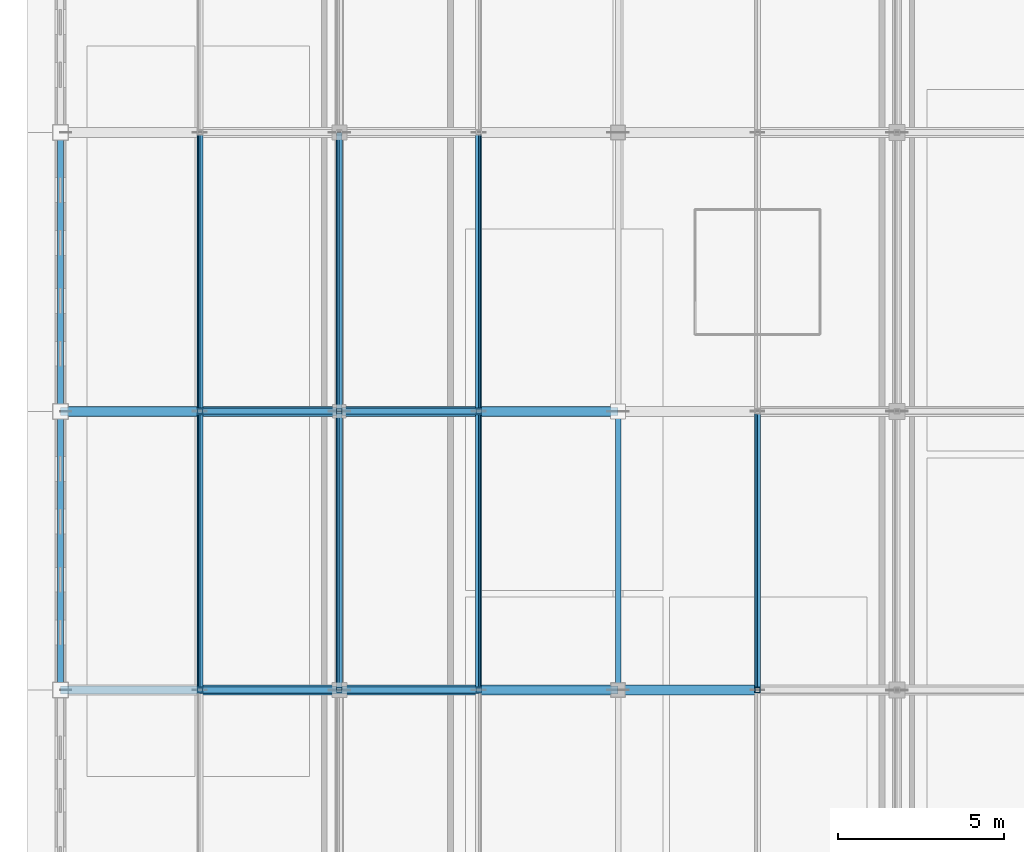
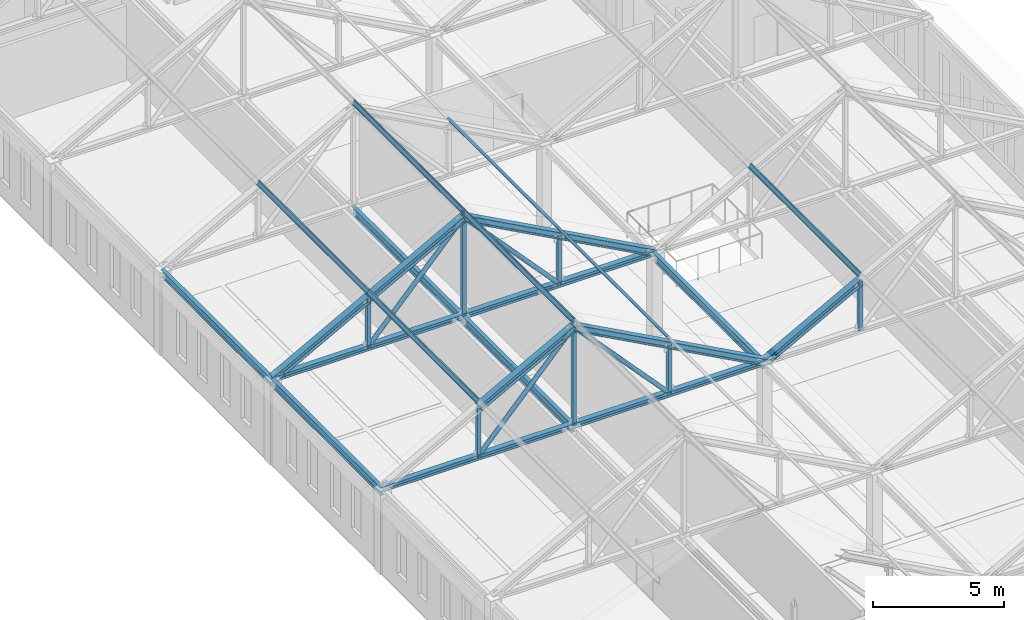
# One storey, part 7 of 36: 28 members, 5 beams.
"""IFC4 building model written with IfcOpenShell, lengths in metres."""

from ifc_helpers import new_model, si_unit, direction, frame, origin, origin_2d, place, context, subcontext, project, spatial, hollow_rectangle, hollow_circle, i_section, extrude, material, material_profile, profile_set, type_object, element, save


model = new_model("IFC4")

# Units and contexts
model_context = context("Model", 3, precision=1e-05, world=origin(), true_north=direction((0.0, 1.0)))
body_context = subcontext(model_context, "Body", "Model", "MODEL_VIEW")
ifc_project = project(units=[si_unit("LENGTHUNIT", "METRE"), si_unit("AREAUNIT", "SQUARE_METRE"), si_unit("VOLUMEUNIT", "CUBIC_METRE"), si_unit("PLANEANGLEUNIT", "RADIAN"), si_unit("MASSUNIT", "GRAM", prefix="KILO")], contexts=[model_context])

# Site, building, storey
site_placement = place(None, origin())
site = spatial("IfcSite", under=ifc_project, at=site_placement, CompositionType="ELEMENT")
building_placement = place(site_placement, origin())
building = spatial("IfcBuilding", under=site, at=building_placement, Name="Kveldsbrygga Polytechnic", CompositionType="ELEMENT")
storey_placement = place(building_placement, frame((0.0, 0.0, 26.179931640625)))
storey = spatial("IfcBuildingStorey", under=building, at=storey_placement, Name="L06", CompositionType="ELEMENT", Elevation=26.179931640625)

# Beams
ifc_material = material(Name="Steel S355", Category="steel")
ifc_material_profile_1 = material_profile(ifc_material, i_section(OverallWidth=0.169921875, OverallDepth=0.360107421875, WebThickness=0.008056640625, FlangeThickness=0.0126953125, FilletRadius=0.01806640625, at=origin_2d()), Name="IPE 360")
ifc_profile_set_1 = profile_set([ifc_material_profile_1], Name="Steel S355")
beam_type = type_object("IfcBeamType", Name="BM-STL-IPE360", PredefinedType="BEAM", material=ifc_profile_set_1)
beam_1_placement = place(storey_placement, frame((126.0, 50.39990234375, 3.66015625), z_axis=(0.0, 1.0, 0.0), x_axis=(-1.0, 0.0, 0.0)))
element("IfcBeam", 1, at=beam_1_placement, inside=storey, type_object=beam_type, Name="Attic Eaves Tie Beam BMY-L06-TOP-15-06", PredefinedType="BEAM", context=body_context, shape_type="SweptSolid", body=[
    extrude(i_section(OverallWidth=0.169921875, OverallDepth=0.360107421875, WebThickness=0.008056640625, FlangeThickness=0.0126953125, FilletRadius=0.01806640625, at=origin_2d()), origin(), (0.0, 0.0, 1.0), 8.400146484375),
])
beam_2_placement = place(storey_placement, frame((126.0, 58.800048828125, 3.66015625), z_axis=(0.0, 1.0, 0.0), x_axis=(-1.0, 0.0, 0.0)))
element("IfcBeam", 2, at=beam_2_placement, inside=storey, type_object=beam_type, Name="Attic Eaves Tie Beam BMY-L06-TOP-15-07", PredefinedType="BEAM", context=body_context, shape_type="SweptSolid", body=[
    extrude(i_section(OverallWidth=0.169921875, OverallDepth=0.360107421875, WebThickness=0.008056640625, FlangeThickness=0.0126953125, FilletRadius=0.01806640625, at=origin_2d()), origin(), (0.0, 0.0, 1.0), 8.39990234375),
])
beam_3_placement = place(storey_placement, frame((134.39990234375, 50.39990234375, 3.66015625), z_axis=(0.0, 1.0, 0.0), x_axis=(-1.0, 0.0, 0.0)))
element("IfcBeam", 3, at=beam_3_placement, inside=storey, type_object=beam_type, Name="Attic Eaves Tie Beam BMY-L06-TOP-16-06", PredefinedType="BEAM", context=body_context, shape_type="SweptSolid", body=[
    extrude(i_section(OverallWidth=0.169921875, OverallDepth=0.360107421875, WebThickness=0.008056640625, FlangeThickness=0.0126953125, FilletRadius=0.01806640625, at=origin_2d()), origin(), (0.0, 0.0, 1.0), 8.400146484375),
])
beam_4_placement = place(storey_placement, frame((134.39990234375, 58.800048828125, 3.66015625), z_axis=(0.0, 1.0, 0.0), x_axis=(-1.0, 0.0, 0.0)))
element("IfcBeam", 4, at=beam_4_placement, inside=storey, type_object=beam_type, Name="Attic Eaves Tie Beam BMY-L06-TOP-16-07", PredefinedType="BEAM", context=body_context, shape_type="SweptSolid", body=[
    extrude(i_section(OverallWidth=0.169921875, OverallDepth=0.360107421875, WebThickness=0.008056640625, FlangeThickness=0.0126953125, FilletRadius=0.01806640625, at=origin_2d()), origin(), (0.0, 0.0, 1.0), 8.39990234375),
])
beam_5_placement = place(storey_placement, frame((142.800048828125, 50.39990234375, 3.66015625), z_axis=(0.0, 1.0, 0.0), x_axis=(-1.0, 0.0, 0.0)))
element("IfcBeam", 5, at=beam_5_placement, inside=storey, type_object=beam_type, Name="Attic Eaves Tie Beam BMY-L06-TOP-17-06", PredefinedType="BEAM", context=body_context, shape_type="SweptSolid", body=[
    extrude(i_section(OverallWidth=0.169921875, OverallDepth=0.360107421875, WebThickness=0.008056640625, FlangeThickness=0.0126953125, FilletRadius=0.01806640625, at=origin_2d()), origin(), (0.0, 0.0, 1.0), 8.400146484375),
])

# Members
ifc_material_profile_2 = material_profile(ifc_material, i_section(OverallWidth=0.10009765625, OverallDepth=0.199951171875, WebThickness=0.005615234375, FlangeThickness=0.008544921875, FilletRadius=0.011962890625, at=origin_2d()), Name="IPE 200")
ifc_profile_set_2 = profile_set([ifc_material_profile_2], Name="Steel S355")
member_type_1 = type_object("IfcMemberType", Name="PRL-IPE200", PredefinedType="PURLIN", material=ifc_profile_set_2)
for number, where, z_axis, x_axis, name in (
    (6, (130.199951171875, 50.39990234375, 6.393798828125), (0.0, 1.0, 0.0), (-0.879292204483, 0.0, 0.476282709256), "Roof Purlin V4M1-PRL-5-1"),
    (7, (134.39990234375, 50.39990234375, 8.668701171875), (0.0, 1.0, 0.0), (-0.879292204483, 0.0, 0.476282709256), "Roof Purlin V4M1-PRL-5-2"),
    (8, (138.60009765625, 50.39990234375, 6.393798828125), (0.0, 1.0, 0.0), (-0.879292204483, 0.0, -0.476282709256), "Roof Purlin V4M1-PRL-5-3"),
):
    element("IfcMember", number, at=place(storey_placement, frame(where, z_axis=z_axis, x_axis=x_axis)), inside=storey, type_object=member_type_1, Name=name, PredefinedType="PURLIN", context=body_context, shape_type="SweptSolid", body=[
        extrude(i_section(OverallWidth=0.10009765625, OverallDepth=0.199951171875, WebThickness=0.005615234375, FlangeThickness=0.008544921875, FilletRadius=0.011962890625, at=origin_2d()), origin(), (0.0, 0.0, 1.0), 8.400146484375),
    ])
for number, where, z_axis, x_axis, name in (
    (9, (130.199951171875, 58.800048828125, 6.393798828125), (0.0, 1.0, 0.0), (-0.879292204483, 0.0, 0.476282709256), "Roof Purlin V4M1-PRL-6-1"),
    (10, (134.39990234375, 58.800048828125, 8.668701171875), (0.0, 1.0, 0.0), (-0.879292204483, 0.0, 0.476282709256), "Roof Purlin V4M1-PRL-6-2"),
    (11, (138.60009765625, 58.800048828125, 6.393798828125), (0.0, 1.0, 0.0), (-0.879292204483, 0.0, -0.476282709256), "Roof Purlin V4M1-PRL-6-3"),
):
    element("IfcMember", number, at=place(storey_placement, frame(where, z_axis=z_axis, x_axis=x_axis)), inside=storey, type_object=member_type_1, Name=name, PredefinedType="PURLIN", context=body_context, shape_type="SweptSolid", body=[
        extrude(i_section(OverallWidth=0.10009765625, OverallDepth=0.199951171875, WebThickness=0.005615234375, FlangeThickness=0.008544921875, FilletRadius=0.011962890625, at=origin_2d()), origin(), (0.0, 0.0, 1.0), 8.39990234375),
    ])
member_1_placement = place(storey_placement, frame((147.0, 50.39990234375, 6.393798828125), z_axis=(0.0, 1.0, 0.0), x_axis=(-0.879292204483, 0.0, 0.476282709256)))
element("IfcMember", 12, at=member_1_placement, inside=storey, type_object=member_type_1, Name="Roof Purlin V4M2-PRL-5-1", PredefinedType="PURLIN", context=body_context, shape_type="SweptSolid", body=[
    extrude(i_section(OverallWidth=0.10009765625, OverallDepth=0.199951171875, WebThickness=0.005615234375, FlangeThickness=0.008544921875, FilletRadius=0.011962890625, at=origin_2d()), origin(), (0.0, 0.0, 1.0), 8.400146484375),
])
ifc_material_profile_3 = material_profile(ifc_material, i_section(OverallWidth=0.239990234375, OverallDepth=0.22998046875, WebThickness=0.007568359375, FlangeThickness=0.011962890625, FilletRadius=0.02099609375, at=origin_2d()), Name="HEA 240")
ifc_profile_set_3 = profile_set([ifc_material_profile_3], Name="Steel S355")
member_type_2 = type_object("IfcMemberType", Name="TR-BOT-HEA240", PredefinedType="CHORD", material=ifc_profile_set_3)
for number, where, z_axis, x_axis, name in (
    (13, (126.0, 50.39990234375, 3.840087890625), (1.0, 0.0, 0.0), (0.0, 1.0, 0.0), "Truss Bottom Chord V4M1-T05-BC-1"),
    (14, (126.0, 58.800048828125, 3.840087890625), (1.0, 0.0, 0.0), (0.0, 1.0, 0.0), "Truss Bottom Chord V4M1-T06-BC-1"),
):
    element("IfcMember", number, at=place(storey_placement, frame(where, z_axis=z_axis, x_axis=x_axis)), inside=storey, type_object=member_type_2, Name=name, PredefinedType="CHORD", context=body_context, shape_type="SweptSolid", body=[
        extrude(i_section(OverallWidth=0.239990234375, OverallDepth=0.22998046875, WebThickness=0.007568359375, FlangeThickness=0.011962890625, FilletRadius=0.02099609375, at=origin_2d()), origin(), (0.0, 0.0, 1.0), 16.800048828125),
    ])
ifc_material_profile_4 = material_profile(ifc_material, hollow_circle(Radius=0.096923828125, WallThickness=0.010009765625, at=origin_2d()), Name="CHS 193.7x10.0")
ifc_profile_set_4 = profile_set([ifc_material_profile_4], Name="Steel S355")
member_type_3 = type_object("IfcMemberType", Name="TR-DIAG-CHS194", PredefinedType="BRACE", material=ifc_profile_set_4)
member_2_placement = place(storey_placement, frame((130.199951171875, 50.39990234375, 3.840087890625), z_axis=(0.678271914864, 0.0, 0.734811002576), x_axis=(0.0, 1.0, 0.0)))
element("IfcMember", 15, at=member_2_placement, inside=storey, type_object=member_type_3, Name="Truss Diagonal V4M1-T05-DG-2", PredefinedType="BRACE", context=body_context, shape_type="SweptSolid", body=[
    extrude(hollow_circle(Radius=0.096923828125, WallThickness=0.010009765625, at=origin_2d()), origin(), (0.0, 0.0, 1.0), 6.192138671875),
])
member_3_placement = place(storey_placement, frame((134.39990234375, 50.39990234375, 8.39013671875), z_axis=(0.678293202798, 0.0, -0.734791352043), x_axis=(0.0, 1.0, 0.0)))
element("IfcMember", 16, at=member_3_placement, inside=storey, type_object=member_type_3, Name="Truss Diagonal V4M1-T05-DG-3", PredefinedType="BRACE", context=body_context, shape_type="SweptSolid", body=[
    extrude(hollow_circle(Radius=0.096923828125, WallThickness=0.010009765625, at=origin_2d()), origin(), (0.0, 0.0, 1.0), 6.1923828125),
])
member_4_placement = place(storey_placement, frame((130.199951171875, 58.800048828125, 3.840087890625), z_axis=(0.678271914864, 0.0, 0.734811002576), x_axis=(0.0, 1.0, 0.0)))
element("IfcMember", 17, at=member_4_placement, inside=storey, type_object=member_type_3, Name="Truss Diagonal V4M1-T06-DG-2", PredefinedType="BRACE", context=body_context, shape_type="SweptSolid", body=[
    extrude(hollow_circle(Radius=0.096923828125, WallThickness=0.010009765625, at=origin_2d()), origin(), (0.0, 0.0, 1.0), 6.192138671875),
])
member_5_placement = place(storey_placement, frame((134.39990234375, 58.800048828125, 8.39013671875), z_axis=(0.678293202798, 0.0, -0.734791352043), x_axis=(0.0, 1.0, 0.0)))
element("IfcMember", 18, at=member_5_placement, inside=storey, type_object=member_type_3, Name="Truss Diagonal V4M1-T06-DG-3", PredefinedType="BRACE", context=body_context, shape_type="SweptSolid", body=[
    extrude(hollow_circle(Radius=0.096923828125, WallThickness=0.010009765625, at=origin_2d()), origin(), (0.0, 0.0, 1.0), 6.1923828125),
])
ifc_material_profile_5 = material_profile(ifc_material, hollow_rectangle(XDim=0.159912109375, YDim=0.159912109375, WallThickness=0.010009765625, at=origin_2d()), Name="SHS 160x160x10.0")
ifc_profile_set_5 = profile_set([ifc_material_profile_5], Name="Steel S355")
member_type_4 = type_object("IfcMemberType", Name="TR-POST-SHS160", PredefinedType="STRUT", material=ifc_profile_set_5)
member_6_placement = place(storey_placement, frame((130.199951171875, 50.39990234375, 3.840087890625), z_axis=(0.0, 0.0, 1.0), x_axis=(1.0, 0.0, 0.0)))
element("IfcMember", 19, at=member_6_placement, inside=storey, type_object=member_type_4, Name="Truss Vertical V4M1-T05-VT-1", PredefinedType="STRUT", context=body_context, shape_type="SweptSolid", body=[
    extrude(hollow_rectangle(XDim=0.159912109375, YDim=0.159912109375, WallThickness=0.010009765625, at=origin_2d()), origin(), (0.0, 0.0, 1.0), 2.27490234375),
])
member_7_placement = place(storey_placement, frame((134.39990234375, 50.39990234375, 3.840087890625), z_axis=(0.0, 0.0, 1.0), x_axis=(1.0, 0.0, 0.0)))
element("IfcMember", 20, at=member_7_placement, inside=storey, type_object=member_type_4, Name="Truss Vertical V4M1-T05-VT-2", PredefinedType="STRUT", context=body_context, shape_type="SweptSolid", body=[
    extrude(hollow_rectangle(XDim=0.159912109375, YDim=0.159912109375, WallThickness=0.010009765625, at=origin_2d()), origin(), (0.0, 0.0, 1.0), 4.82861328125),
])
for number, where, z_axis, x_axis, name in (
    (21, (138.60009765625, 50.39990234375, 3.840087890625), (0.0, 0.0, 1.0), (1.0, 0.0, 0.0), "Truss Vertical V4M1-T05-VT-3"),
    (22, (130.199951171875, 58.800048828125, 3.840087890625), (0.0, 0.0, 1.0), (1.0, 0.0, 0.0), "Truss Vertical V4M1-T06-VT-1"),
):
    element("IfcMember", number, at=place(storey_placement, frame(where, z_axis=z_axis, x_axis=x_axis)), inside=storey, type_object=member_type_4, Name=name, PredefinedType="STRUT", context=body_context, shape_type="SweptSolid", body=[
        extrude(hollow_rectangle(XDim=0.159912109375, YDim=0.159912109375, WallThickness=0.010009765625, at=origin_2d()), origin(), (0.0, 0.0, 1.0), 2.27490234375),
    ])
member_8_placement = place(storey_placement, frame((134.39990234375, 58.800048828125, 3.840087890625), z_axis=(0.0, 0.0, 1.0), x_axis=(1.0, 0.0, 0.0)))
element("IfcMember", 23, at=member_8_placement, inside=storey, type_object=member_type_4, Name="Truss Vertical V4M1-T06-VT-2", PredefinedType="STRUT", context=body_context, shape_type="SweptSolid", body=[
    extrude(hollow_rectangle(XDim=0.159912109375, YDim=0.159912109375, WallThickness=0.010009765625, at=origin_2d()), origin(), (0.0, 0.0, 1.0), 4.82861328125),
])
for number, where, z_axis, x_axis, name in (
    (24, (138.60009765625, 58.800048828125, 3.840087890625), (0.0, 0.0, 1.0), (1.0, 0.0, 0.0), "Truss Vertical V4M1-T06-VT-3"),
    (25, (147.0, 50.39990234375, 3.840087890625), (0.0, 0.0, 1.0), (1.0, 0.0, 0.0), "Truss Vertical V4M2-T05-VT-1"),
):
    element("IfcMember", number, at=place(storey_placement, frame(where, z_axis=z_axis, x_axis=x_axis)), inside=storey, type_object=member_type_4, Name=name, PredefinedType="STRUT", context=body_context, shape_type="SweptSolid", body=[
        extrude(hollow_rectangle(XDim=0.159912109375, YDim=0.159912109375, WallThickness=0.010009765625, at=origin_2d()), origin(), (0.0, 0.0, 1.0), 2.27490234375),
    ])
ifc_material_profile_6 = material_profile(ifc_material, i_section(OverallWidth=0.300048828125, OverallDepth=0.2900390625, WebThickness=0.008544921875, FlangeThickness=0.013916015625, FilletRadius=0.027099609375, at=origin_2d()), Name="HEA 300")
ifc_profile_set_6 = profile_set([ifc_material_profile_6], Name="Steel S355")
member_type_5 = type_object("IfcMemberType", Name="TR-TOP-HEA300", PredefinedType="CHORD", material=ifc_profile_set_6)
member_9_placement = place(storey_placement, frame((130.199951171875, 50.39990234375, 6.114990234375), z_axis=(0.879276804059, 0.0, 0.476311139744), x_axis=(0.0, 1.0, 0.0)))
element("IfcMember", 26, at=member_9_placement, inside=storey, type_object=member_type_5, Name="Truss Top Chord V4M1-T05-TC-2", PredefinedType="CHORD", context=body_context, shape_type="SweptSolid", body=[
    extrude(i_section(OverallWidth=0.300048828125, OverallDepth=0.2900390625, WebThickness=0.008544921875, FlangeThickness=0.013916015625, FilletRadius=0.027099609375, at=origin_2d()), origin(), (0.0, 0.0, 1.0), 4.776611328125),
])
member_10_placement = place(storey_placement, frame((134.39990234375, 50.39990234375, 8.39013671875), z_axis=(0.879288399135, 0.0, -0.476289734454), x_axis=(0.0, 1.0, 0.0)))
element("IfcMember", 27, at=member_10_placement, inside=storey, type_object=member_type_5, Name="Truss Top Chord V4M1-T05-TC-3", PredefinedType="CHORD", context=body_context, shape_type="SweptSolid", body=[
    extrude(i_section(OverallWidth=0.300048828125, OverallDepth=0.2900390625, WebThickness=0.008544921875, FlangeThickness=0.013916015625, FilletRadius=0.027099609375, at=origin_2d()), origin(), (0.0, 0.0, 1.0), 4.77685546875),
])
for number, where, z_axis, x_axis, name in (
    (28, (138.60009765625, 50.39990234375, 6.114990234375), (0.879298209803, 0.0, -0.47627162233), (0.0, 1.0, 0.0), "Truss Top Chord V4M1-T05-TC-4"),
    (29, (126.0, 58.800048828125, 3.840087890625), (0.879298209803, 0.0, 0.47627162233), (0.0, 1.0, 0.0), "Truss Top Chord V4M1-T06-TC-1"),
):
    element("IfcMember", number, at=place(storey_placement, frame(where, z_axis=z_axis, x_axis=x_axis)), inside=storey, type_object=member_type_5, Name=name, PredefinedType="CHORD", context=body_context, shape_type="SweptSolid", body=[
        extrude(i_section(OverallWidth=0.300048828125, OverallDepth=0.2900390625, WebThickness=0.008544921875, FlangeThickness=0.013916015625, FilletRadius=0.027099609375, at=origin_2d()), origin(), (0.0, 0.0, 1.0), 4.7763671875),
    ])
member_11_placement = place(storey_placement, frame((130.199951171875, 58.800048828125, 6.114990234375), z_axis=(0.879276804059, 0.0, 0.476311139744), x_axis=(0.0, 1.0, 0.0)))
element("IfcMember", 30, at=member_11_placement, inside=storey, type_object=member_type_5, Name="Truss Top Chord V4M1-T06-TC-2", PredefinedType="CHORD", context=body_context, shape_type="SweptSolid", body=[
    extrude(i_section(OverallWidth=0.300048828125, OverallDepth=0.2900390625, WebThickness=0.008544921875, FlangeThickness=0.013916015625, FilletRadius=0.027099609375, at=origin_2d()), origin(), (0.0, 0.0, 1.0), 4.776611328125),
])
member_12_placement = place(storey_placement, frame((134.39990234375, 58.800048828125, 8.39013671875), z_axis=(0.879288399135, 0.0, -0.476289734454), x_axis=(0.0, 1.0, 0.0)))
element("IfcMember", 31, at=member_12_placement, inside=storey, type_object=member_type_5, Name="Truss Top Chord V4M1-T06-TC-3", PredefinedType="CHORD", context=body_context, shape_type="SweptSolid", body=[
    extrude(i_section(OverallWidth=0.300048828125, OverallDepth=0.2900390625, WebThickness=0.008544921875, FlangeThickness=0.013916015625, FilletRadius=0.027099609375, at=origin_2d()), origin(), (0.0, 0.0, 1.0), 4.77685546875),
])
for number, where, z_axis, x_axis, name in (
    (32, (138.60009765625, 58.800048828125, 6.114990234375), (0.879298209803, 0.0, -0.47627162233), (0.0, 1.0, 0.0), "Truss Top Chord V4M1-T06-TC-4"),
    (33, (142.800048828125, 50.39990234375, 3.840087890625), (0.879298209803, 0.0, 0.47627162233), (0.0, 1.0, 0.0), "Truss Top Chord V4M2-T05-TC-1"),
):
    element("IfcMember", number, at=place(storey_placement, frame(where, z_axis=z_axis, x_axis=x_axis)), inside=storey, type_object=member_type_5, Name=name, PredefinedType="CHORD", context=body_context, shape_type="SweptSolid", body=[
        extrude(i_section(OverallWidth=0.300048828125, OverallDepth=0.2900390625, WebThickness=0.008544921875, FlangeThickness=0.013916015625, FilletRadius=0.027099609375, at=origin_2d()), origin(), (0.0, 0.0, 1.0), 4.7763671875),
    ])

save(model, "model.ifc")
